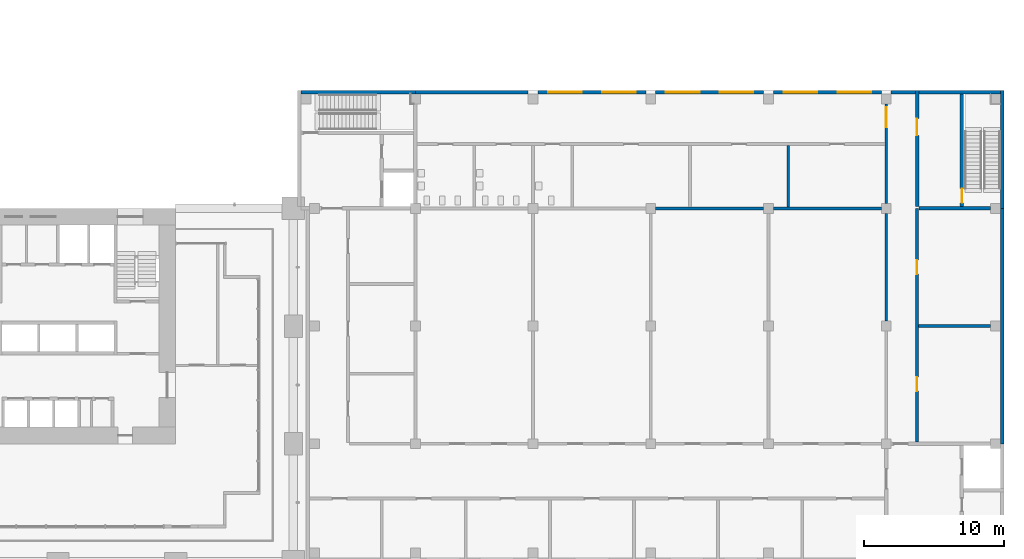
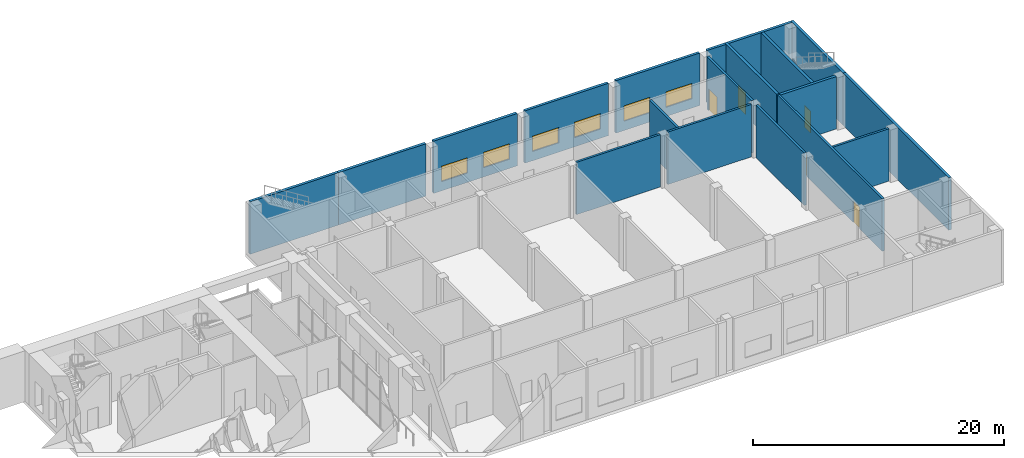
# One storey, part 16 of 26: 19 walls, 6 windows, 5 doors, 11 openings.
"""IFC4 building model written with IfcOpenShell, lengths in metres."""

from ifc_helpers import new_model, si_unit, direction, frame, frame_2d, origin, place, context, subcontext, project, spatial, rectangle, extrude, material, layer, layer_set, type_object, element, fill, save


model = new_model("IFC4")

# Units and contexts
model_context = context("Model", 3, precision=1e-05, world=origin(), true_north=direction((0.0, 1.0)))
body_context = subcontext(model_context, "Body", "Model", "MODEL_VIEW")
ifc_project = project(units=[si_unit("LENGTHUNIT", "METRE"), si_unit("AREAUNIT", "SQUARE_METRE"), si_unit("VOLUMEUNIT", "CUBIC_METRE"), si_unit("PLANEANGLEUNIT", "RADIAN"), si_unit("MASSUNIT", "GRAM", prefix="KILO")], contexts=[model_context])

# Site, building, storey
site_placement = place(None, origin())
site = spatial("IfcSite", under=ifc_project, at=site_placement, CompositionType="ELEMENT")
building_placement = place(site_placement, origin())
building = spatial("IfcBuilding", under=site, at=building_placement, Name="Vermilion Gate Residences", CompositionType="ELEMENT")
storey_placement = place(building_placement, frame((0.0, 0.0, 9.0)))
storey = spatial("IfcBuildingStorey", under=building, at=storey_placement, Name="L01", CompositionType="ELEMENT", Elevation=9.0)

# Wall
ifc_material_1 = material(Name="Insulated masonry", Category="masonry")
ifc_layer_1 = layer(ifc_material_1, 0.25)
ifc_layer_set_1 = layer_set([ifc_layer_1], Name="EXTERNAL WALL 250 MASONRY (MARKET HALL)")
wall_type_1 = type_object("IfcWallType", Name="EXTERNAL WALL 250 MASONRY (MARKET HALL)", PredefinedType="SOLIDWALL", material=ifc_layer_set_1)
wall_1_placement = place(storey_placement, frame((75.89990234375, 33.47509765625, 0.0), z_axis=(0.0, 0.0, 1.0), x_axis=(1.0, 0.0, 0.0)))
element("IfcWall", 1, at=wall_1_placement, inside=storey, type_object=wall_type_1, Name="External wall L01-30", PredefinedType="SOLIDWALL", context=body_context, shape_type="SweptSolid", body=[
    extrude(rectangle(XDim=8.050048828125, YDim=0.25, at=frame_2d((4.02490234375, 0.0))), origin(), (0.0, 0.0, 1.0), 5.10009765625),
])

# Wall, openings, windows
wall_2_placement = place(storey_placement, frame((84.64990234375, 33.47509765625, 0.0), z_axis=(0.0, 0.0, 1.0), x_axis=(1.0, 0.0, 0.0)))
wall_2 = element("IfcWall", 2, at=wall_2_placement, inside=storey, type_object=wall_type_1, Name="External wall L01-31", PredefinedType="SOLIDWALL", context=body_context, shape_type="SweptSolid", body=[
    extrude(rectangle(XDim=7.7001953125, YDim=0.25, at=frame_2d((3.85009765625, 0.0))), origin(), (0.0, 0.0, 1.0), 5.10009765625),
])
opening_1_placement = place(wall_2_placement, frame((0.72509765625, 0.0, 0.89990234375)))
opening_1 = element("IfcOpeningElement", 3, at=opening_1_placement, cuts=wall_2, Name="Opening WH01006", PredefinedType="OPENING", context=body_context, shape_type="SweptSolid", body=[
    extrude(rectangle(XDim=2.39990234375, YDim=1.5, at=frame_2d((1.199951171875, 0.75))), frame((0.0, 0.135009765625, 0.0), z_axis=(0.0, -1.0, 0.0), x_axis=(1.0, 0.0, 0.0)), (0.0, 0.0, 1.0), 0.27001953125),
])
opening_2_placement = place(wall_2_placement, frame((4.574951171875, 0.0, 0.89990234375)))
opening_2 = element("IfcOpeningElement", 4, at=opening_2_placement, cuts=wall_2, Name="Opening WH01007", PredefinedType="OPENING", context=body_context, shape_type="SweptSolid", body=[
    extrude(rectangle(XDim=2.39990234375, YDim=1.5, at=frame_2d((1.199951171875, 0.75))), frame((0.0, 0.135009765625, 0.0), z_axis=(0.0, -1.0, 0.0), x_axis=(1.0, 0.0, 0.0)), (0.0, 0.0, 1.0), 0.27001953125),
])
ifc_material_2 = material(Name="Aluminium and glass", Category="aluminium")
window_type = type_object("IfcWindowType", Name="WINDOW 2400 X 1500 (MARKET HALL)", PartitioningType="DOUBLE_PANEL_VERTICAL", PredefinedType="WINDOW", material=ifc_material_2)
window_1_placement = place(opening_1_placement, origin())
window_1 = element("IfcWindow", 5, at=window_1_placement, inside=storey, type_object=window_type, Name="Window WH01006", OverallHeight=1.5, OverallWidth=2.39990234375, PartitioningType="DOUBLE_PANEL_VERTICAL", PredefinedType="WINDOW", context=body_context, shape_type="SweptSolid", body=[
    extrude(rectangle(XDim=2.39990234375, YDim=1.5, at=frame_2d((1.199951171875, 0.75))), frame((0.0, 0.030029296875, 0.0), z_axis=(0.0, -1.0, 0.0), x_axis=(1.0, 0.0, 0.0)), (0.0, 0.0, 1.0), 0.06005859375),
])
fill(opening_1, window_1)
window_2_placement = place(opening_2_placement, origin())
window_2 = element("IfcWindow", 6, at=window_2_placement, inside=storey, type_object=window_type, Name="Window WH01007", OverallHeight=1.5, OverallWidth=2.39990234375, PartitioningType="DOUBLE_PANEL_VERTICAL", PredefinedType="WINDOW", context=body_context, shape_type="SweptSolid", body=[
    extrude(rectangle(XDim=2.39990234375, YDim=1.5, at=frame_2d((1.199951171875, 0.75))), frame((0.0, 0.030029296875, 0.0), z_axis=(0.0, -1.0, 0.0), x_axis=(1.0, 0.0, 0.0)), (0.0, 0.0, 1.0), 0.06005859375),
])
fill(opening_2, window_2)

wall_3_placement = place(storey_placement, frame((93.050048828125, 33.47509765625, 0.0), z_axis=(0.0, 0.0, 1.0), x_axis=(1.0, 0.0, 0.0)))
wall_3 = element("IfcWall", 7, at=wall_3_placement, inside=storey, type_object=wall_type_1, Name="External wall L01-32", PredefinedType="SOLIDWALL", context=body_context, shape_type="SweptSolid", body=[
    extrude(rectangle(XDim=7.699951171875, YDim=0.25, at=frame_2d((3.85009765625, 0.0))), origin(), (0.0, 0.0, 1.0), 5.10009765625),
])
opening_3_placement = place(wall_3_placement, frame((0.72509765625, 0.0, 0.89990234375)))
opening_3 = element("IfcOpeningElement", 8, at=opening_3_placement, cuts=wall_3, Name="Opening WH01008", PredefinedType="OPENING", context=body_context, shape_type="SweptSolid", body=[
    extrude(rectangle(XDim=2.39990234375, YDim=1.5, at=frame_2d((1.199951171875, 0.75))), frame((0.0, 0.135009765625, 0.0), z_axis=(0.0, -1.0, 0.0), x_axis=(1.0, 0.0, 0.0)), (0.0, 0.0, 1.0), 0.27001953125),
])
opening_4_placement = place(wall_3_placement, frame((4.574951171875, 0.0, 0.89990234375)))
opening_4 = element("IfcOpeningElement", 9, at=opening_4_placement, cuts=wall_3, Name="Opening WH01009", PredefinedType="OPENING", context=body_context, shape_type="SweptSolid", body=[
    extrude(rectangle(XDim=2.39990234375, YDim=1.5, at=frame_2d((1.199951171875, 0.75))), frame((0.0, 0.135009765625, 0.0), z_axis=(0.0, -1.0, 0.0), x_axis=(1.0, 0.0, 0.0)), (0.0, 0.0, 1.0), 0.27001953125),
])
window_3_placement = place(opening_3_placement, origin())
window_3 = element("IfcWindow", 10, at=window_3_placement, inside=storey, type_object=window_type, Name="Window WH01008", OverallHeight=1.5, OverallWidth=2.39990234375, PartitioningType="DOUBLE_PANEL_VERTICAL", PredefinedType="WINDOW", context=body_context, shape_type="SweptSolid", body=[
    extrude(rectangle(XDim=2.39990234375, YDim=1.5, at=frame_2d((1.199951171875, 0.75))), frame((0.0, 0.030029296875, 0.0), z_axis=(0.0, -1.0, 0.0), x_axis=(1.0, 0.0, 0.0)), (0.0, 0.0, 1.0), 0.06005859375),
])
fill(opening_3, window_3)
window_4_placement = place(opening_4_placement, origin())
window_4 = element("IfcWindow", 11, at=window_4_placement, inside=storey, type_object=window_type, Name="Window WH01009", OverallHeight=1.5, OverallWidth=2.39990234375, PartitioningType="DOUBLE_PANEL_VERTICAL", PredefinedType="WINDOW", context=body_context, shape_type="SweptSolid", body=[
    extrude(rectangle(XDim=2.39990234375, YDim=1.5, at=frame_2d((1.199951171875, 0.75))), frame((0.0, 0.030029296875, 0.0), z_axis=(0.0, -1.0, 0.0), x_axis=(1.0, 0.0, 0.0)), (0.0, 0.0, 1.0), 0.06005859375),
])
fill(opening_4, window_4)

wall_4_placement = place(storey_placement, frame((101.449951171875, 33.47509765625, 0.0), z_axis=(0.0, 0.0, 1.0), x_axis=(1.0, 0.0, 0.0)))
wall_4 = element("IfcWall", 12, at=wall_4_placement, inside=storey, type_object=wall_type_1, Name="External wall L01-33", PredefinedType="SOLIDWALL", context=body_context, shape_type="SweptSolid", body=[
    extrude(rectangle(XDim=7.699951171875, YDim=0.25, at=frame_2d((3.85009765625, 0.0))), origin(), (0.0, 0.0, 1.0), 5.10009765625),
])
opening_5_placement = place(wall_4_placement, frame((0.72509765625, 0.0, 0.89990234375)))
opening_5 = element("IfcOpeningElement", 13, at=opening_5_placement, cuts=wall_4, Name="Opening WH01010", PredefinedType="OPENING", context=body_context, shape_type="SweptSolid", body=[
    extrude(rectangle(XDim=2.39990234375, YDim=1.5, at=frame_2d((1.199951171875, 0.75))), frame((0.0, 0.135009765625, 0.0), z_axis=(0.0, -1.0, 0.0), x_axis=(1.0, 0.0, 0.0)), (0.0, 0.0, 1.0), 0.27001953125),
])
opening_6_placement = place(wall_4_placement, frame((4.574951171875, 0.0, 0.89990234375)))
opening_6 = element("IfcOpeningElement", 14, at=opening_6_placement, cuts=wall_4, Name="Opening WH01011", PredefinedType="OPENING", context=body_context, shape_type="SweptSolid", body=[
    extrude(rectangle(XDim=2.39990234375, YDim=1.5, at=frame_2d((1.199951171875, 0.75))), frame((0.0, 0.135009765625, 0.0), z_axis=(0.0, -1.0, 0.0), x_axis=(1.0, 0.0, 0.0)), (0.0, 0.0, 1.0), 0.27001953125),
])
window_5_placement = place(opening_5_placement, origin())
window_5 = element("IfcWindow", 15, at=window_5_placement, inside=storey, type_object=window_type, Name="Window WH01010", OverallHeight=1.5, OverallWidth=2.39990234375, PartitioningType="DOUBLE_PANEL_VERTICAL", PredefinedType="WINDOW", context=body_context, shape_type="SweptSolid", body=[
    extrude(rectangle(XDim=2.39990234375, YDim=1.5, at=frame_2d((1.199951171875, 0.75))), frame((0.0, 0.030029296875, 0.0), z_axis=(0.0, -1.0, 0.0), x_axis=(1.0, 0.0, 0.0)), (0.0, 0.0, 1.0), 0.06005859375),
])
fill(opening_5, window_5)
window_6_placement = place(opening_6_placement, origin())
window_6 = element("IfcWindow", 16, at=window_6_placement, inside=storey, type_object=window_type, Name="Window WH01011", OverallHeight=1.5, OverallWidth=2.39990234375, PartitioningType="DOUBLE_PANEL_VERTICAL", PredefinedType="WINDOW", context=body_context, shape_type="SweptSolid", body=[
    extrude(rectangle(XDim=2.39990234375, YDim=1.5, at=frame_2d((1.199951171875, 0.75))), frame((0.0, 0.030029296875, 0.0), z_axis=(0.0, -1.0, 0.0), x_axis=(1.0, 0.0, 0.0)), (0.0, 0.0, 1.0), 0.06005859375),
])
fill(opening_6, window_6)

# Walls
wall_5_placement = place(storey_placement, frame((109.85009765625, 33.47509765625, 0.0), z_axis=(0.0, 0.0, 1.0), x_axis=(1.0, 0.0, 0.0)))
element("IfcWall", 17, at=wall_5_placement, inside=storey, type_object=wall_type_1, Name="External wall L01-34", PredefinedType="SOLIDWALL", context=body_context, shape_type="SweptSolid", body=[
    extrude(rectangle(XDim=1.724853515625, YDim=0.25, at=frame_2d((0.8623046875, 0.0))), origin(), (0.0, 0.0, 1.0), 5.10009765625),
])
wall_6_placement = place(storey_placement, frame((117.77490234375, 8.39990234375, 0.0), z_axis=(0.0, 0.0, 1.0), x_axis=(0.0, 1.0, 0.0)))
element("IfcWall", 18, at=wall_6_placement, inside=storey, type_object=wall_type_1, Name="External wall L01-69", PredefinedType="SOLIDWALL", context=body_context, shape_type="SweptSolid", body=[
    extrude(rectangle(XDim=16.800048828125, YDim=0.25, at=frame_2d((8.39990234375, 0.0))), origin(), (0.0, 0.0, 1.0), 5.10009765625),
])
ifc_material_3 = material(Name="Masonry", Category="masonry")
ifc_layer_2 = layer(ifc_material_3, 0.199951171875)
ifc_layer_set_2 = layer_set([ifc_layer_2], Name="PARTITION 200 MASONRY EI 60 (MARKET HALL)")
wall_type_2 = type_object("IfcWallType", Name="PARTITION 200 MASONRY EI 60 (MARKET HALL)", PredefinedType="PARTITIONING", material=ifc_layer_set_2)
wall_7_placement = place(storey_placement, frame((111.800048828125, 16.800048828125, 0.0), z_axis=(0.0, 0.0, 1.0), x_axis=(1.0, 0.0, 0.0)))
element("IfcWall", 19, at=wall_7_placement, inside=storey, type_object=wall_type_2, Name="Partition wall L01-17", PredefinedType="PARTITIONING", context=body_context, shape_type="SweptSolid", body=[
    extrude(rectangle(XDim=5.14990234375, YDim=0.199951171875, at=frame_2d((2.574951171875, 0.0))), origin(), (0.0, 0.0, 1.0), 5.10009765625),
])
for number, where, z_axis, x_axis, name in (
    (20, (93.050048828125, 25.199951171875, 0.0), (0.0, 0.0, 1.0), (1.0, 0.0, 0.0), "Partition wall L01-23"),
    (21, (101.449951171875, 25.199951171875, 0.0), (0.0, 0.0, 1.0), (1.0, 0.0, 0.0), "Partition wall L01-24"),
):
    element("IfcWall", number, at=place(storey_placement, frame(where, z_axis=z_axis, x_axis=x_axis)), inside=storey, type_object=wall_type_2, Name=name, PredefinedType="PARTITIONING", context=body_context, shape_type="SweptSolid", body=[
        extrude(rectangle(XDim=7.699951171875, YDim=0.199951171875, at=frame_2d((3.85009765625, 0.0))), origin(), (0.0, 0.0, 1.0), 5.10009765625),
    ])
wall_8_placement = place(storey_placement, frame((102.5, 25.300048828125, 0.0), z_axis=(0.0, 0.0, 1.0), x_axis=(0.0, 1.0, 0.0)))
element("IfcWall", 22, at=wall_8_placement, inside=storey, type_object=wall_type_2, Name="Partition wall L01-58", PredefinedType="PARTITIONING", context=body_context, shape_type="SweptSolid", body=[
    extrude(rectangle(XDim=4.39990234375, YDim=0.199951171875, at=frame_2d((2.199951171875, 0.0))), origin(), (0.0, 0.0, 1.0), 5.10009765625),
])
wall_9_placement = place(storey_placement, frame((109.5, 17.14990234375, 0.0), z_axis=(0.0, 0.0, 1.0), x_axis=(0.0, 1.0, 0.0)))
element("IfcWall", 23, at=wall_9_placement, inside=storey, type_object=wall_type_2, Name="Partition wall L01-62", PredefinedType="PARTITIONING", context=body_context, shape_type="SweptSolid", body=[
    extrude(rectangle(XDim=7.7001953125, YDim=0.199951171875, at=frame_2d((3.85009765625, 0.0))), origin(), (0.0, 0.0, 1.0), 5.10009765625),
])

# Wall, opening, door
wall_10_placement = place(storey_placement, frame((109.5, 25.550048828125, 0.0), z_axis=(0.0, 0.0, 1.0), x_axis=(0.0, 1.0, 0.0)))
wall_10 = element("IfcWall", 24, at=wall_10_placement, inside=storey, type_object=wall_type_2, Name="Partition wall L01-63", PredefinedType="PARTITIONING", context=body_context, shape_type="SweptSolid", body=[
    extrude(rectangle(XDim=7.099853515625, YDim=0.199951171875, at=frame_2d((3.5498046875, 0.0))), origin(), (0.0, 0.0, 1.0), 5.10009765625),
])
opening_7_placement = place(wall_10_placement, frame((5.449951171875, 0.0, 0.0)))
opening_7 = element("IfcOpeningElement", 25, at=opening_7_placement, cuts=wall_10, Name="Opening DH01023", PredefinedType="OPENING", context=body_context, shape_type="SweptSolid", body=[
    extrude(rectangle(XDim=1.39990234375, YDim=2.10009765625, at=frame_2d((0.699951171875, 1.050048828125))), frame((0.0, 0.10986328125, 0.0), z_axis=(0.0, -1.0, 0.0), x_axis=(1.0, 0.0, 0.0)), (0.0, 0.0, 1.0), 0.219970703125),
])
ifc_material_4 = material(Name="Steel", Category="steel")
door_type_1 = type_object("IfcDoorType", Name="FIRE DOOR FD30 1400 X 2100 DOUBLE (MARKET HALL)", OperationType="DOUBLE_DOOR_SINGLE_SWING", PredefinedType="DOOR", material=ifc_material_4)
door_1_placement = place(opening_7_placement, origin())
door_1 = element("IfcDoor", 26, at=door_1_placement, inside=storey, type_object=door_type_1, Name="Fire door DH01023", OperationType="DOUBLE_DOOR_SINGLE_SWING", OverallHeight=2.10009765625, OverallWidth=1.39990234375, PredefinedType="DOOR", context=body_context, shape_type="SweptSolid", body=[
    extrude(rectangle(XDim=1.39990234375, YDim=2.10009765625, at=frame_2d((0.699951171875, 1.050048828125))), frame((0.0, 0.02490234375, 0.0), z_axis=(0.0, -1.0, 0.0), x_axis=(1.0, 0.0, 0.0)), (0.0, 0.0, 1.0), 0.050048828125),
])
fill(opening_7, door_1)

# Wall, openings, doors
wall_11_placement = place(storey_placement, frame((111.699951171875, 8.52490234375, 0.0), z_axis=(0.0, 0.0, 1.0), x_axis=(0.0, 1.0, 0.0)))
wall_11 = element("IfcWall", 27, at=wall_11_placement, inside=storey, type_object=wall_type_2, Name="Partition wall L01-64", PredefinedType="PARTITIONING", context=body_context, shape_type="SweptSolid", body=[
    extrude(rectangle(XDim=16.675048828125, YDim=0.199951171875, at=frame_2d((8.33740234375, 0.0))), origin(), (0.0, 0.0, 1.0), 5.10009765625),
])
opening_8_placement = place(wall_11_placement, frame((3.637451171875, 0.0, 0.0)))
opening_8 = element("IfcOpeningElement", 28, at=opening_8_placement, cuts=wall_11, Name="Opening DH01024", PredefinedType="OPENING", context=body_context, shape_type="SweptSolid", body=[
    extrude(rectangle(XDim=1.0, YDim=2.10009765625, at=frame_2d((0.5, 1.050048828125))), frame((0.0, 0.10986328125, 0.0), z_axis=(0.0, -1.0, 0.0), x_axis=(1.0, 0.0, 0.0)), (0.0, 0.0, 1.0), 0.219970703125),
])
opening_9_placement = place(wall_11_placement, frame((11.97509765625, 0.0, 0.0)))
opening_9 = element("IfcOpeningElement", 29, at=opening_9_placement, cuts=wall_11, Name="Opening DH01025", PredefinedType="OPENING", context=body_context, shape_type="SweptSolid", body=[
    extrude(rectangle(XDim=1.0, YDim=2.10009765625, at=frame_2d((0.5, 1.050048828125))), frame((0.0, 0.10986328125, 0.0), z_axis=(0.0, -1.0, 0.0), x_axis=(1.0, 0.0, 0.0)), (0.0, 0.0, 1.0), 0.219970703125),
])
ifc_material_5 = material(Name="Steel", Category="steel")
door_type_2 = type_object("IfcDoorType", Name="FIRE DOOR FD30 1000 X 2100 (MARKET HALL)", OperationType="SINGLE_SWING_LEFT", PredefinedType="DOOR", material=ifc_material_5)
door_2_placement = place(opening_8_placement, frame((1.0, 0.0, 0.0), z_axis=(0.0, 0.0, 1.0), x_axis=(-1.0, 0.0, 0.0)))
door_2 = element("IfcDoor", 30, at=door_2_placement, inside=storey, type_object=door_type_2, Name="Fire door DH01024", OperationType="SINGLE_SWING_RIGHT", OverallHeight=2.10009765625, OverallWidth=1.0, PredefinedType="DOOR", context=body_context, shape_type="SweptSolid", body=[
    extrude(rectangle(XDim=1.0, YDim=2.10009765625, at=frame_2d((0.5, 1.050048828125))), frame((0.0, 0.02490234375, 0.0), z_axis=(0.0, -1.0, 0.0), x_axis=(1.0, 0.0, 0.0)), (0.0, 0.0, 1.0), 0.050048828125),
])
fill(opening_8, door_2)
door_3_placement = place(opening_9_placement, frame((1.0, 0.0, 0.0), z_axis=(0.0, 0.0, 1.0), x_axis=(-1.0, 0.0, 0.0)))
door_3 = element("IfcDoor", 31, at=door_3_placement, inside=storey, type_object=door_type_2, Name="Fire door DH01025", OperationType="SINGLE_SWING_RIGHT", OverallHeight=2.10009765625, OverallWidth=1.0, PredefinedType="DOOR", context=body_context, shape_type="SweptSolid", body=[
    extrude(rectangle(XDim=1.0, YDim=2.10009765625, at=frame_2d((0.5, 1.050048828125))), frame((0.0, 0.02490234375, 0.0), z_axis=(0.0, -1.0, 0.0), x_axis=(1.0, 0.0, 0.0)), (0.0, 0.0, 1.0), 0.050048828125),
])
fill(opening_9, door_3)

# Walls
ifc_material_6 = material(Name="Concrete C45", Category="concrete")
ifc_layer_3 = layer(ifc_material_6, 0.25)
ifc_layer_set_3 = layer_set([ifc_layer_3], Name="RC CORE WALL 250 C45 (MARKET HALL)")
wall_type_3 = type_object("IfcWallType", Name="RC CORE WALL 250 C45 (MARKET HALL)", PredefinedType="SHEAR", material=ifc_layer_set_3)
wall_12_placement = place(storey_placement, frame((111.824951171875, 25.199951171875, 0.0), z_axis=(0.0, 0.0, 1.0), x_axis=(1.0, 0.0, 0.0)))
element("IfcWall", 32, at=wall_12_placement, inside=storey, type_object=wall_type_3, Name="Core wall L01-25", PredefinedType="SHEAR", context=body_context, shape_type="SweptSolid", body=[
    extrude(rectangle(XDim=5.125, YDim=0.25, at=frame_2d((2.5625, 0.0))), origin(), (0.0, 0.0, 1.0), 5.10009765625),
])
wall_13_placement = place(storey_placement, frame((67.75, 33.47509765625, 0.0), z_axis=(0.0, 0.0, 1.0), x_axis=(1.0, 0.0, 0.0)))
element("IfcWall", 33, at=wall_13_placement, inside=storey, type_object=wall_type_3, Name="Core wall L01-29", PredefinedType="SHEAR", context=body_context, shape_type="SweptSolid", body=[
    extrude(rectangle(XDim=8.14990234375, YDim=0.25, at=frame_2d((4.074951171875, 0.0))), origin(), (0.0, 0.0, 1.0), 5.10009765625),
])
wall_14_placement = place(storey_placement, frame((111.824951171875, 33.47509765625, 0.0), z_axis=(0.0, 0.0, 1.0), x_axis=(1.0, 0.0, 0.0)))
element("IfcWall", 34, at=wall_14_placement, inside=storey, type_object=wall_type_3, Name="Core wall L01-35", PredefinedType="SHEAR", context=body_context, shape_type="SweptSolid", body=[
    extrude(rectangle(XDim=5.824951171875, YDim=0.25, at=frame_2d((2.91259765625, 0.0))), origin(), (0.0, 0.0, 1.0), 5.10009765625),
])

# Wall, opening, door
wall_15_placement = place(storey_placement, frame((111.699951171875, 25.324951171875, 0.0), z_axis=(0.0, 0.0, 1.0), x_axis=(0.0, 1.0, 0.0)))
wall_15 = element("IfcWall", 35, at=wall_15_placement, inside=storey, type_object=wall_type_3, Name="Core wall L01-65", PredefinedType="SHEAR", context=body_context, shape_type="SweptSolid", body=[
    extrude(rectangle(XDim=8.275146484375, YDim=0.25, at=frame_2d((4.1376953125, 0.0))), origin(), (0.0, 0.0, 1.0), 5.10009765625),
])
opening_10_placement = place(wall_15_placement, frame((5.074951171875, 0.0, 0.0)))
opening_10 = element("IfcOpeningElement", 36, at=opening_10_placement, cuts=wall_15, Name="Opening DH01026", PredefinedType="OPENING", context=body_context, shape_type="SweptSolid", body=[
    extrude(rectangle(XDim=1.199951171875, YDim=2.10009765625, at=frame_2d((0.60009765625, 1.050048828125))), frame((0.0, 0.135009765625, 0.0), z_axis=(0.0, -1.0, 0.0), x_axis=(1.0, 0.0, 0.0)), (0.0, 0.0, 1.0), 0.27001953125),
])
ifc_material_7 = material(Name="Steel", Category="steel")
door_type_3 = type_object("IfcDoorType", Name="FIRE DOOR FD60 1200 X 2100 (MARKET HALL)", OperationType="SINGLE_SWING_LEFT", PredefinedType="DOOR", material=ifc_material_7)
door_4_placement = place(opening_10_placement, frame((1.199951171875, 0.0, 0.0), z_axis=(0.0, 0.0, 1.0), x_axis=(-1.0, 0.0, 0.0)))
door_4 = element("IfcDoor", 37, at=door_4_placement, inside=storey, type_object=door_type_3, Name="Lobby fire door DH01026", OperationType="SINGLE_SWING_LEFT", OverallHeight=2.10009765625, OverallWidth=1.199951171875, PredefinedType="DOOR", context=body_context, shape_type="SweptSolid", body=[
    extrude(rectangle(XDim=1.199951171875, YDim=2.10009765625, at=frame_2d((0.60009765625, 1.050048828125))), frame((0.0, 0.02490234375, 0.0), z_axis=(0.0, -1.0, 0.0), x_axis=(1.0, 0.0, 0.0)), (0.0, 0.0, 1.0), 0.050048828125),
])
fill(opening_10, door_4)

wall_16_placement = place(storey_placement, frame((114.89990234375, 25.324951171875, 0.0), z_axis=(0.0, 0.0, 1.0), x_axis=(0.0, 1.0, 0.0)))
wall_16 = element("IfcWall", 38, at=wall_16_placement, inside=storey, type_object=wall_type_3, Name="Core wall L01-67", PredefinedType="SHEAR", context=body_context, shape_type="SweptSolid", body=[
    extrude(rectangle(XDim=8.275146484375, YDim=0.25, at=frame_2d((4.1376953125, 0.0))), origin(), (0.0, 0.0, 1.0), 5.10009765625),
])
opening_11_placement = place(wall_16_placement, frame((0.27490234375, 0.0, 0.0)))
opening_11 = element("IfcOpeningElement", 39, at=opening_11_placement, cuts=wall_16, Name="Opening DH01001", PredefinedType="OPENING", context=body_context, shape_type="SweptSolid", body=[
    extrude(rectangle(XDim=1.0, YDim=2.10009765625, at=frame_2d((0.5, 1.050048828125))), frame((0.0, 0.135009765625, 0.0), z_axis=(0.0, -1.0, 0.0), x_axis=(1.0, 0.0, 0.0)), (0.0, 0.0, 1.0), 0.27001953125),
])
ifc_material_8 = material(Name="Steel", Category="steel")
door_type_4 = type_object("IfcDoorType", Name="STAIR DOOR FD60 1000 X 2100 (MARKET HALL)", OperationType="SINGLE_SWING_LEFT", PredefinedType="DOOR", material=ifc_material_8)
door_5_placement = place(opening_11_placement, frame((1.0, 0.0, 0.0), z_axis=(0.0, 0.0, 1.0), x_axis=(-1.0, 0.0, 0.0)))
door_5 = element("IfcDoor", 40, at=door_5_placement, inside=storey, type_object=door_type_4, Name="Stair door DH01001", OperationType="SINGLE_SWING_LEFT", OverallHeight=2.10009765625, OverallWidth=1.0, PredefinedType="DOOR", context=body_context, shape_type="SweptSolid", body=[
    extrude(rectangle(XDim=1.0, YDim=2.10009765625, at=frame_2d((0.5, 1.050048828125))), frame((0.0, 0.02490234375, 0.0), z_axis=(0.0, -1.0, 0.0), x_axis=(1.0, 0.0, 0.0)), (0.0, 0.0, 1.0), 0.050048828125),
])
fill(opening_11, door_5)

# Wall
wall_17_placement = place(storey_placement, frame((117.77490234375, 25.199951171875, 0.0), z_axis=(0.0, 0.0, 1.0), x_axis=(0.0, 1.0, 0.0)))
element("IfcWall", 41, at=wall_17_placement, inside=storey, type_object=wall_type_3, Name="Core wall L01-70", PredefinedType="SHEAR", context=body_context, shape_type="SweptSolid", body=[
    extrude(rectangle(XDim=8.400146484375, YDim=0.25, at=frame_2d((4.2001953125, 0.0))), origin(), (0.0, 0.0, 1.0), 5.10009765625),
])

save(model, "model.ifc")
